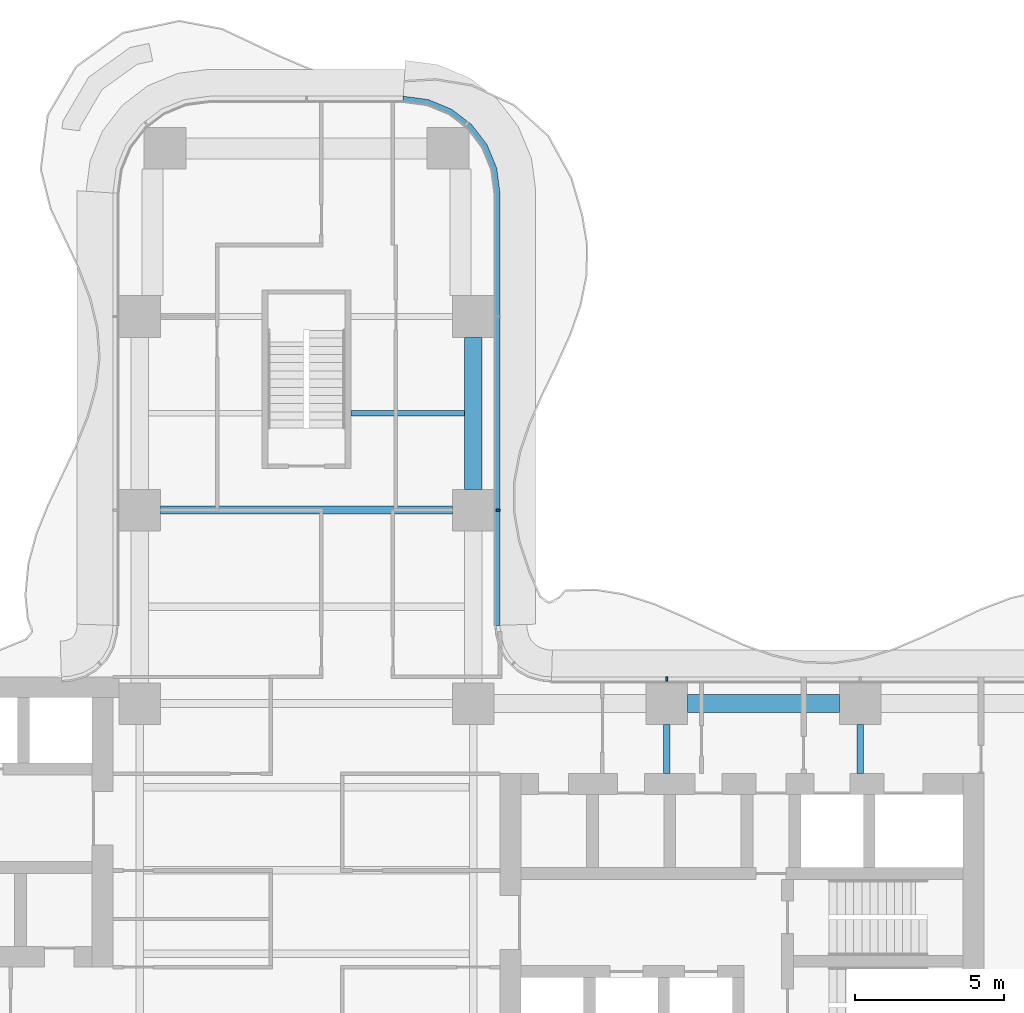
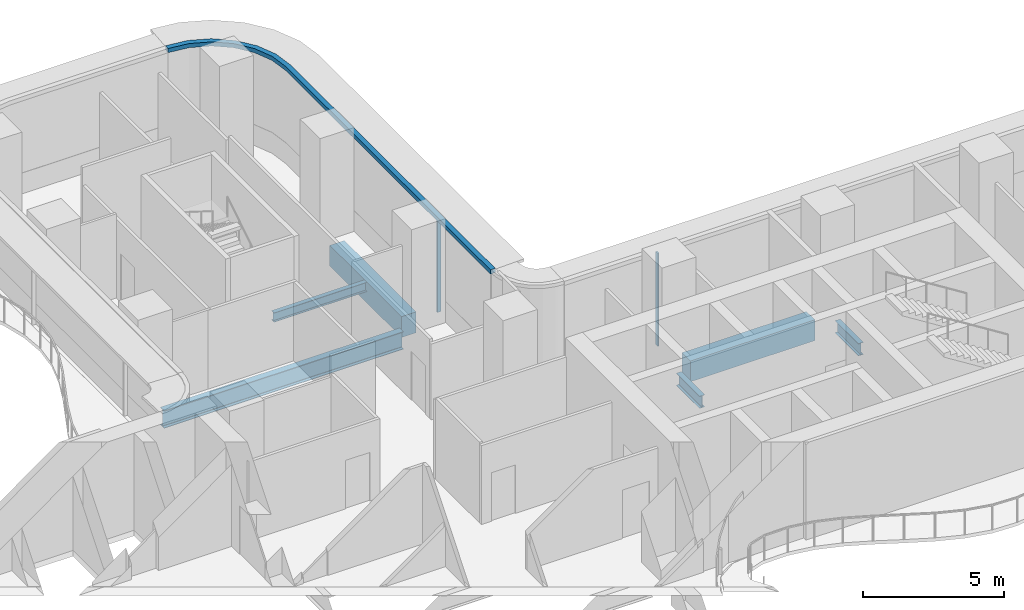
# One storey, part 10 of 22: 6 beams, 3 members, 2 elements without a shape of their own.
"""IFC4 building model written with IfcOpenShell, lengths in metres."""

from ifc_helpers import new_model, si_unit, direction, frame, origin, origin_2d, place, context, subcontext, project, spatial, polyline, rectangle, i_section, outline, extrude, source, transform, mapped, material, layer, layer_set, material_profile, profile_set, type_object, element, aggregate, save


model = new_model("IFC4")

# Units and contexts
model_context = context("Model", 3, precision=1e-05, world=origin(), true_north=direction((0.0, 1.0)))
body_context = subcontext(model_context, "Body", "Model", "MODEL_VIEW")
ifc_project = project(units=[si_unit("LENGTHUNIT", "METRE"), si_unit("AREAUNIT", "SQUARE_METRE"), si_unit("VOLUMEUNIT", "CUBIC_METRE"), si_unit("PLANEANGLEUNIT", "RADIAN"), si_unit("MASSUNIT", "GRAM", prefix="KILO")], contexts=[model_context])

# Site, building, storey
site_placement = place(None, origin())
site = spatial("IfcSite", under=ifc_project, at=site_placement, CompositionType="ELEMENT")
building_placement = place(site_placement, origin())
building = spatial("IfcBuilding", under=site, at=building_placement, Name="Trellis Farm Tower", CompositionType="ELEMENT")
storey_placement = place(building_placement, frame((0.0, 0.0, 88.0)))
storey = spatial("IfcBuildingStorey", under=building, at=storey_placement, Name="L18", CompositionType="ELEMENT", Elevation=88.0)

# Beams
ifc_material_1 = material(Name="Concrete C60/75", Category="concrete")
ifc_material_profile_1 = material_profile(ifc_material_1, rectangle(XDim=0.60009765625, YDim=0.89990234375, at=origin_2d()), Name="RC spandrel beam 600x900 C60/75")
ifc_profile_set_1 = profile_set([ifc_material_profile_1], Name="Concrete C60/75")
beam_type_1 = type_object("IfcBeamType", Name="RC spandrel beam 600x900 C60/75", PredefinedType="SPANDREL", material=ifc_profile_set_1)
shared_shape_1 = source(origin(), body_context, "Body", "SweptSolid", [
    extrude(rectangle(XDim=0.60009765625, YDim=0.89990234375, at=origin_2d()), origin(), (0.0, 0.0, 1.0), 5.099853515625),
])
for number, where, z_axis, x_axis, name in (
    (1, (12.800048828125, 5.60009765625, -0.699951171875), (1.0, 0.0, 0.0), (0.0, 1.0, 0.0), "Girder"),
    (2, (5.60009765625, 12.800048828125, -0.699951171875), (0.0, 1.0, 0.0), (-1.0, 0.0, 0.0), "Girder"),
):
    element("IfcBeam", number, at=place(storey_placement, frame(where, z_axis=z_axis, x_axis=x_axis)), inside=storey, type_object=beam_type_1, Name=name, PredefinedType="SPANDREL", context=body_context, shape_type="MappedRepresentation", body=[
        mapped(shared_shape_1, transform((0.0, 0.0, 0.0))),
    ])
ifc_material_2 = material(Name="Steel S355", Category="steel")
ifc_material_profile_2 = material_profile(ifc_material_2, i_section(OverallWidth=0.2666015625, OverallDepth=0.76220703125, WebThickness=0.014404296875, FlangeThickness=0.021484375, FilletRadius=0.0166015625, at=origin_2d()), Name="UB 762x267x173")
ifc_profile_set_2 = profile_set([ifc_material_profile_2], Name="Steel S355")
beam_type_2 = type_object("IfcBeamType", Name="UB 762x267x173", PredefinedType="BEAM", material=ifc_profile_set_2)
shared_shape_2 = source(origin(), body_context, "Body", "SweptSolid", [
    extrude(i_section(OverallWidth=0.2666015625, OverallDepth=0.76220703125, WebThickness=0.014404296875, FlangeThickness=0.021484375, FilletRadius=0.0166015625, at=origin_2d()), origin(), (0.0, 0.0, 1.0), 9.7998046875),
])
beam_1_placement = place(storey_placement, frame((-4.89990234375, 12.10009765625, -0.631103515625), z_axis=(1.0, 0.0, 0.0), x_axis=(0.0, 1.0, 0.0)))
element("IfcBeam", 3, at=beam_1_placement, inside=storey, type_object=beam_type_2, Name="Girder", PredefinedType="BEAM", context=body_context, shape_type="MappedRepresentation", body=[
    mapped(shared_shape_2, transform((0.0, 0.0, 0.0))),
])
ifc_material_profile_3 = material_profile(ifc_material_2, i_section(OverallWidth=0.209228515625, OverallDepth=0.533203125, WebThickness=0.010009765625, FlangeThickness=0.015625, FilletRadius=0.0126953125, at=origin_2d()), Name="UB 533x210x92")
ifc_profile_set_3 = profile_set([ifc_material_profile_3], Name="Steel S355")
beam_type_3 = type_object("IfcBeamType", Name="UB 533x210x92", PredefinedType="BEAM", material=ifc_profile_set_3)
shared_shape_3 = source(origin(), body_context, "Body", "SweptSolid", [
    extrude(i_section(OverallWidth=0.209228515625, OverallDepth=0.533203125, WebThickness=0.010009765625, FlangeThickness=0.015625, FilletRadius=0.0126953125, at=origin_2d()), origin(), (0.0, 0.0, 1.0), 1.64990234375),
])
for number, where, z_axis, x_axis, name in (
    (4, (12.10009765625, 3.25, -0.5166015625), (0.0, 1.0, 0.0), (-1.0, 0.0, 0.0), "Girder"),
    (5, (18.60009765625, 3.25, -0.5166015625), (0.0, 1.0, 0.0), (-1.0, 0.0, 0.0), "Girder"),
):
    element("IfcBeam", number, at=place(storey_placement, frame(where, z_axis=z_axis, x_axis=x_axis)), inside=storey, type_object=beam_type_3, Name=name, PredefinedType="BEAM", context=body_context, shape_type="MappedRepresentation", body=[
        mapped(shared_shape_3, transform((0.0, 0.0, 0.0))),
    ])
ifc_material_profile_4 = material_profile(ifc_material_2, i_section(OverallWidth=0.177978515625, OverallDepth=0.406494140625, WebThickness=0.0078125, FlangeThickness=0.0126953125, FilletRadius=0.01025390625, at=origin_2d()), Name="UB 406x178x60")
ifc_profile_set_4 = profile_set([ifc_material_profile_4], Name="Steel S355")
beam_type_4 = type_object("IfcBeamType", Name="UB 406x178x60 joist", PredefinedType="JOIST", material=ifc_profile_set_4)
shared_shape_4 = source(origin(), body_context, "Body", "SweptSolid", [
    extrude(i_section(OverallWidth=0.177978515625, OverallDepth=0.406494140625, WebThickness=0.0078125, FlangeThickness=0.0126953125, FilletRadius=0.01025390625, at=origin_2d()), origin(), (0.0, 0.0, 1.0), 3.800048828125),
])
beam_2_placement = place(storey_placement, frame((1.5, 15.35009765625, -0.453125), z_axis=(1.0, 0.0, 0.0), x_axis=(0.0, 1.0, 0.0)))
element("IfcBeam", 6, at=beam_2_placement, inside=storey, type_object=beam_type_4, Name="Floor beam", PredefinedType="JOIST", context=body_context, shape_type="MappedRepresentation", body=[
    mapped(shared_shape_4, transform((0.0, 0.0, 0.0))),
])

# Curtain wall, member
ifc_material_3 = material(Name="Aluminium and glass curtain wall", Category="aluminium")
ifc_layer_1 = layer(ifc_material_3, 0.18994140625)
ifc_layer_set_1 = layer_set([ifc_layer_1], Name="RIBBON CURTAIN WALL CW1")
curtain_wall_type = type_object("IfcCurtainWallType", Name="RIBBON CURTAIN WALL CW1", PredefinedType="NOTDEFINED", material=ifc_layer_set_1)
placement = place(storey_placement, origin())
curtain_wall_1 = element("IfcCurtainWall", 7, at=placement, inside=storey, type_object=curtain_wall_type, Name="CW1 009", PredefinedType="NOTDEFINED")
ifc_material_4 = material(Name="Aluminium extrusion 6063-T6", Category="aluminium")
ifc_layer_2 = layer(ifc_material_4, 0.199951171875)
ifc_layer_set_2 = layer_set([ifc_layer_2], Name="Aluminium extrusion 6063-T6")
member_type_1 = type_object("IfcMemberType", Name="CW1 TRANSOM 200x180", PredefinedType="USERDEFINED", material=ifc_layer_set_2)
shared_shape_5 = source(origin(), body_context, "Body", "SweptSolid", [
    extrude(outline(polyline([(6.5, 8.2314453125), (6.5, 22.75), (6.38916015625, 23.591064453125), (6.064697265625, 24.375), (5.548095703125, 25.048095703125), (4.875, 25.564697265625), (4.091064453125, 25.88916015625), (3.25, 26.0), (3.23681640625, 25.800048828125), (4.0390625, 25.6943359375), (4.774169921875, 25.389892578125), (5.405517578125, 24.905517578125), (5.889892578125, 24.274169921875), (6.1943359375, 23.5390625), (6.300048828125, 22.73681640625), (6.300048828125, 8.224853515625), (6.5, 8.2314453125)])), origin(), (0.0, 0.0, 1.0), 0.179931640625),
])
member_1_placement = place(storey_placement, frame((0.0, 0.0, 4.02001953125)))
member_1 = element("IfcMember", 8, at=member_1_placement, type_object=member_type_1, Name="TR1 009", ObjectType="TRANSOM", PredefinedType="USERDEFINED", context=body_context, shape_type="MappedRepresentation", body=[
    mapped(shared_shape_5, transform((0.0, 0.0, 0.0))),
])

curtain_wall_2 = element("IfcCurtainWall", 9, at=placement, inside=storey, type_object=curtain_wall_type, Name="CW1 008", PredefinedType="NOTDEFINED")
ifc_material_profile_5 = material_profile(ifc_material_4, rectangle(XDim=0.06005859375, YDim=0.14990234375, at=origin_2d()), Name="MULLION 60x150")
ifc_profile_set_5 = profile_set([ifc_material_profile_5], Name="Aluminium extrusion 6063-T6")
member_type_2 = type_object("IfcMemberType", Name="CW1 MULLION 60x150", PredefinedType="MULLION", material=ifc_profile_set_5)
shared_shape_6 = source(origin(), body_context, "Body", "SweptSolid", [
    extrude(rectangle(XDim=0.06005859375, YDim=0.14990234375, at=origin_2d()), origin(), (0.0, 0.0, 1.0), 4.02001953125),
])
member_2_placement = place(storey_placement, frame((12.10009765625, 6.425048828125, 0.0), z_axis=(0.0, 0.0, 1.0), x_axis=(-1.0, 0.0, 0.0)))
member_2 = element("IfcMember", 10, at=member_2_placement, type_object=member_type_2, Name="MU1 008-04", PredefinedType="MULLION", context=body_context, shape_type="MappedRepresentation", body=[
    mapped(shared_shape_6, transform((0.0, 0.0, 0.0))),
])
aggregate(curtain_wall_2, [member_2])

# Member
member_3_placement = place(storey_placement, frame((6.425048828125, 12.10009765625, 0.0), z_axis=(0.0, 0.0, 1.0), x_axis=(0.0, 1.0, 0.0)))
member_3 = element("IfcMember", 11, at=member_3_placement, type_object=member_type_2, Name="MU1 009-01", PredefinedType="MULLION", context=body_context, shape_type="MappedRepresentation", body=[
    mapped(shared_shape_6, transform((0.0, 0.0, 0.0))),
])

aggregate(curtain_wall_1, [member_3, member_1])

save(model, "model.ifc")
